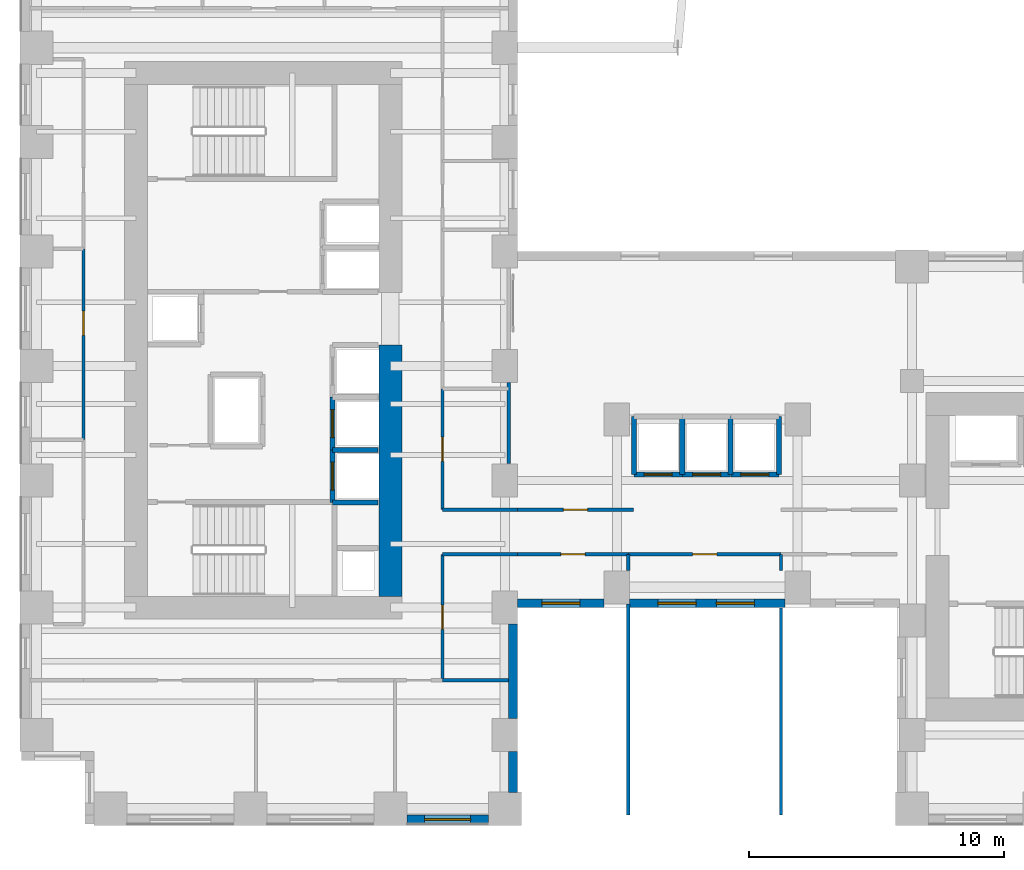
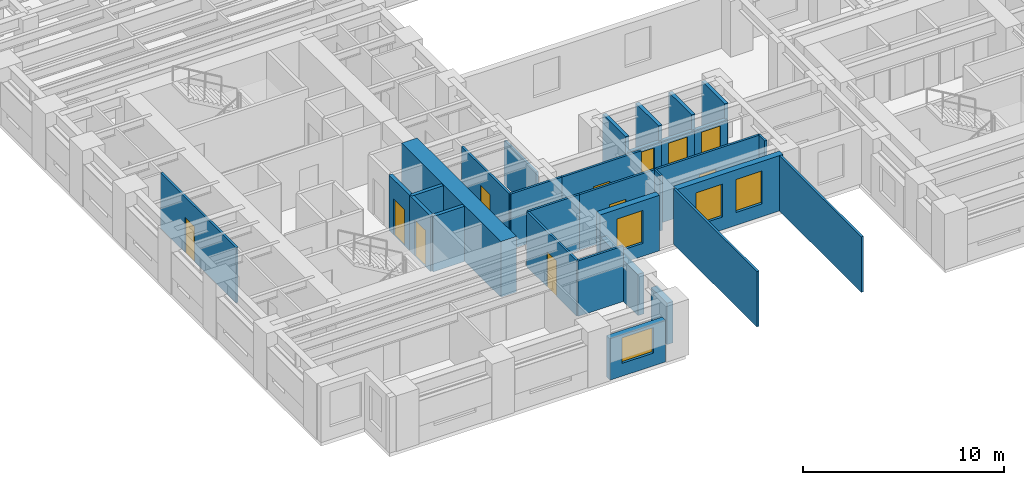
# One storey, part 7 of 14: 31 walls, 11 doors, 4 windows, 15 openings.
"""IFC4 building model written with IfcOpenShell, lengths in metres."""

from ifc_helpers import new_model, si_unit, direction, frame, frame_2d, origin, place, context, subcontext, project, spatial, rectangle, extrude, source, transform, mapped, material, layer, layer_set, type_object, element, fill, save


model = new_model("IFC4")

# Units and contexts
model_context = context("Model", 3, precision=1e-05, world=origin(), true_north=direction((0.0, 1.0)))
body_context = subcontext(model_context, "Body", "Model", "MODEL_VIEW")
ifc_project = project(units=[si_unit("LENGTHUNIT", "METRE"), si_unit("AREAUNIT", "SQUARE_METRE"), si_unit("VOLUMEUNIT", "CUBIC_METRE"), si_unit("PLANEANGLEUNIT", "RADIAN"), si_unit("MASSUNIT", "GRAM", prefix="KILO")], contexts=[model_context])

# Site, building, storey
site_placement = place(None, origin())
site = spatial("IfcSite", under=ifc_project, at=site_placement, CompositionType="ELEMENT")
building_placement = place(site_placement, origin())
building = spatial("IfcBuilding", under=site, at=building_placement, Name="Kharzan Plaza Tower", CompositionType="ELEMENT")
storey_placement = place(building_placement, frame((0.0, 0.0, 36.89990234375)))
storey = spatial("IfcBuildingStorey", under=building, at=storey_placement, Name="L09", CompositionType="ELEMENT", Elevation=36.89990234375)

# Wall, opening, window
ifc_material_1 = material(Name="Concrete C40/50", Category="concrete")
ifc_layer_1 = layer(ifc_material_1, 0.35009765625)
ifc_layer_set_1 = layer_set([ifc_layer_1], Name="Concrete C40/50")
wall_type_1 = type_object("IfcWallType", Name="WL-EXT-MAS-Z1", PredefinedType="SOLIDWALL", material=ifc_layer_set_1)
wall_1_placement = place(storey_placement, frame((15.14794921875, 0.175048828125, 0.0), z_axis=(0.0, 0.0, 1.0), x_axis=(1.0, 0.0, 0.0)))
wall_1 = element("IfcWall", 1, at=wall_1_placement, inside=storey, type_object=wall_type_1, Name="L09 Masonry-Frame Exterior Wall 25", PredefinedType="SOLIDWALL", context=body_context, shape_type="SweptSolid", body=[
    extrude(rectangle(XDim=3.2041015625, YDim=0.35009765625, at=frame_2d((1.60205078125, 0.0))), origin(), (0.0, 0.0, 1.0), 2.510009765625),
])
opening_1_placement = place(wall_1_placement, frame((0.701904296875, 0.0, 0.780029296875)))
opening_1 = element("IfcOpeningElement", 2, at=opening_1_placement, cuts=wall_1, Name="Opening W1", PredefinedType="OPENING", context=body_context, shape_type="SweptSolid", body=[
    extrude(rectangle(XDim=1.800048828125, YDim=1.550048828125, at=frame_2d((0.89990234375, 0.77490234375))), frame((0.0, 0.18505859375, 0.0), z_axis=(0.0, -1.0, 0.0), x_axis=(1.0, 0.0, 0.0)), (0.0, 0.0, 1.0), 0.3701171875),
])
ifc_material_2 = material(Name="Low-E Double Glazing", Category="glass")
window_type_1 = type_object("IfcWindowType", Name="WN-REC-1800x2100", PartitioningType="SINGLE_PANEL", PredefinedType="WINDOW", material=ifc_material_2)
shared_shape_1 = source(origin(), body_context, "Body", "SweptSolid", [
    extrude(rectangle(XDim=1.800048828125, YDim=1.550048828125, at=frame_2d((0.89990234375, 0.77490234375))), frame((0.0, 0.030029296875, 0.0), z_axis=(0.0, -1.0, 0.0), x_axis=(1.0, 0.0, 0.0)), (0.0, 0.0, 1.0), 0.06005859375),
])
window_1_placement = place(opening_1_placement, origin())
window_1 = element("IfcWindow", 3, at=window_1_placement, inside=storey, type_object=window_type_1, Name="L09 Recessed Solar-Control Window 25-1", OverallHeight=1.550048828125, OverallWidth=1.800048828125, PartitioningType="SINGLE_PANEL", PredefinedType="WINDOW", context=body_context, shape_type="MappedRepresentation", body=[
    mapped(shared_shape_1, transform((0.0, 0.0, 0.0), x_axis=(1.0, 0.0, 0.0), y_axis=(0.0, 1.0, 0.0), z_axis=(0.0, 0.0, 1.0))),
])
fill(opening_1, window_1)

wall_2_placement = place(storey_placement, frame((19.498046875, 8.675048828125, 0.0), z_axis=(0.0, 0.0, 1.0), x_axis=(1.0, 0.0, 0.0)))
wall_2 = element("IfcWall", 4, at=wall_2_placement, inside=storey, type_object=wall_type_1, Name="L09 Masonry-Frame Exterior Wall 28", PredefinedType="SOLIDWALL", context=body_context, shape_type="SweptSolid", body=[
    extrude(rectangle(XDim=3.404052734375, YDim=0.35009765625, at=frame_2d((1.7021484375, 0.0))), origin(), (0.0, 0.0, 1.0), 3.364990234375),
])
opening_2_placement = place(wall_2_placement, frame((0.951904296875, 0.0, 0.780029296875)))
opening_2 = element("IfcOpeningElement", 5, at=opening_2_placement, cuts=wall_2, Name="Opening W5", PredefinedType="OPENING", context=body_context, shape_type="SweptSolid", body=[
    extrude(rectangle(XDim=1.5, YDim=2.0, at=frame_2d((0.75, 1.0))), frame((0.0, 0.18505859375, 0.0), z_axis=(0.0, -1.0, 0.0), x_axis=(1.0, 0.0, 0.0)), (0.0, 0.0, 1.0), 0.3701171875),
])
window_type_2 = type_object("IfcWindowType", Name="WN-SLT-1500x2000", PartitioningType="SINGLE_PANEL", PredefinedType="WINDOW", material=ifc_material_2)
shared_shape_2 = source(origin(), body_context, "Body", "SweptSolid", [
    extrude(rectangle(XDim=1.5, YDim=2.0, at=frame_2d((0.75, 1.0))), frame((0.0, 0.030029296875, 0.0), z_axis=(0.0, -1.0, 0.0), x_axis=(1.0, 0.0, 0.0)), (0.0, 0.0, 1.0), 0.06005859375),
])
window_2_placement = place(opening_2_placement, origin())
window_2 = element("IfcWindow", 6, at=window_2_placement, inside=storey, type_object=window_type_2, Name="L09 Recessed Solar-Control Window 28-1", OverallHeight=2.0, OverallWidth=1.5, PartitioningType="SINGLE_PANEL", PredefinedType="WINDOW", context=body_context, shape_type="MappedRepresentation", body=[
    mapped(shared_shape_2, transform((0.0, 0.0, 0.0), x_axis=(1.0, 0.0, 0.0), y_axis=(0.0, 1.0, 0.0), z_axis=(0.0, 0.0, 1.0))),
])
fill(opening_2, window_2)

# Wall, openings, windows
wall_3_placement = place(storey_placement, frame((23.89794921875, 8.675048828125, 0.0), z_axis=(0.0, 0.0, 1.0), x_axis=(1.0, 0.0, 0.0)))
wall_3 = element("IfcWall", 7, at=wall_3_placement, inside=storey, type_object=wall_type_1, Name="L09 Masonry-Frame Exterior Wall 29", PredefinedType="SOLIDWALL", context=body_context, shape_type="SweptSolid", body=[
    extrude(rectangle(XDim=6.10400390625, YDim=0.35009765625, at=frame_2d((3.052001953125, 0.0))), origin(), (0.0, 0.0, 1.0), 3.364990234375),
])
opening_3_placement = place(wall_3_placement, frame((1.114013671875, 0.0, 0.780029296875)))
opening_3 = element("IfcOpeningElement", 8, at=opening_3_placement, cuts=wall_3, Name="Opening W5", PredefinedType="OPENING", context=body_context, shape_type="SweptSolid", body=[
    extrude(rectangle(XDim=1.5, YDim=2.0, at=frame_2d((0.75, 1.0))), frame((0.0, 0.18505859375, 0.0), z_axis=(0.0, -1.0, 0.0), x_axis=(1.0, 0.0, 0.0)), (0.0, 0.0, 1.0), 0.3701171875),
])
opening_4_placement = place(wall_3_placement, frame((3.407958984375, 0.0, 0.780029296875)))
opening_4 = element("IfcOpeningElement", 9, at=opening_4_placement, cuts=wall_3, Name="Opening W5", PredefinedType="OPENING", context=body_context, shape_type="SweptSolid", body=[
    extrude(rectangle(XDim=1.5, YDim=2.0, at=frame_2d((0.75, 1.0))), frame((0.0, 0.18505859375, 0.0), z_axis=(0.0, -1.0, 0.0), x_axis=(1.0, 0.0, 0.0)), (0.0, 0.0, 1.0), 0.3701171875),
])
window_3_placement = place(opening_3_placement, origin())
window_3 = element("IfcWindow", 10, at=window_3_placement, inside=storey, type_object=window_type_2, Name="L09 Recessed Solar-Control Window 29-1", OverallHeight=2.0, OverallWidth=1.5, PartitioningType="SINGLE_PANEL", PredefinedType="WINDOW", context=body_context, shape_type="MappedRepresentation", body=[
    mapped(shared_shape_2, transform((0.0, 0.0, 0.0), x_axis=(1.0, 0.0, 0.0), y_axis=(0.0, 1.0, 0.0), z_axis=(0.0, 0.0, 1.0))),
])
fill(opening_3, window_3)
window_4_placement = place(opening_4_placement, origin())
window_4 = element("IfcWindow", 11, at=window_4_placement, inside=storey, type_object=window_type_2, Name="L09 Recessed Solar-Control Window 29-2", OverallHeight=2.0, OverallWidth=1.5, PartitioningType="SINGLE_PANEL", PredefinedType="WINDOW", context=body_context, shape_type="MappedRepresentation", body=[
    mapped(shared_shape_2, transform((0.0, 0.0, 0.0), x_axis=(1.0, 0.0, 0.0), y_axis=(0.0, 1.0, 0.0), z_axis=(0.0, 0.0, 1.0))),
])
fill(opening_4, window_4)

# Wall, opening, door
ifc_material_3 = material(Name="Fire-Rated Gypsum Board Partition", Category="gypsum")
ifc_layer_2 = layer(ifc_material_3, 0.125)
ifc_layer_set_2 = layer_set([ifc_layer_2], Name="Fire-Rated Gypsum Board Partition")
wall_type_2 = type_object("IfcWallType", Name="WL-INT-PART-125", PredefinedType="PARTITIONING", material=ifc_layer_set_2)
wall_4_placement = place(storey_placement, frame((16.550048828125, 12.35009765625, 0.0), z_axis=(0.0, 0.0, 1.0), x_axis=(0.0, 1.0, 0.0)))
wall_4 = element("IfcWall", 12, at=wall_4_placement, inside=storey, type_object=wall_type_2, Name="L09 Interior Partition SH-AEWN1", PredefinedType="PARTITIONING", context=body_context, shape_type="SweptSolid", body=[
    extrude(rectangle(XDim=4.75, YDim=0.125, at=frame_2d((2.375, 0.0))), origin(), (0.0, 0.0, 1.0), 3.364990234375),
])
opening_5_placement = place(wall_4_placement, frame((1.89990234375, 0.0, 0.0)))
opening_5 = element("IfcOpeningElement", 13, at=opening_5_placement, cuts=wall_4, Name="Opening OD1", PredefinedType="OPENING", context=body_context, shape_type="SweptSolid", body=[
    extrude(rectangle(XDim=0.949951171875, YDim=2.14990234375, at=frame_2d((0.47509765625, 1.074951171875))), frame((0.0, 0.072509765625, 0.0), z_axis=(0.0, -1.0, 0.0), x_axis=(1.0, 0.0, 0.0)), (0.0, 0.0, 1.0), 0.14501953125),
])
ifc_material_4 = material(Name="Acoustic Solid-Core Stained Oak", Category="timber")
door_type_1 = type_object("IfcDoorType", Name="DR-OFF-SINGLE", OperationType="NOTDEFINED", PredefinedType="DOOR", material=ifc_material_4)
shared_shape_3 = source(origin(), body_context, "Body", "SweptSolid", [
    extrude(rectangle(XDim=0.949951171875, YDim=2.14990234375, at=frame_2d((0.47509765625, 1.074951171875))), frame((0.0, 0.02490234375, 0.0), z_axis=(0.0, -1.0, 0.0), x_axis=(1.0, 0.0, 0.0)), (0.0, 0.0, 1.0), 0.050048828125),
])
door_1_placement = place(opening_5_placement, origin())
door_1 = element("IfcDoor", 14, at=door_1_placement, inside=storey, type_object=door_type_1, Name="L09 Slot Collaboration Door", OperationType="SINGLE_SWING_LEFT", OverallHeight=2.14990234375, OverallWidth=0.949951171875, PredefinedType="DOOR", context=body_context, shape_type="MappedRepresentation", body=[
    mapped(shared_shape_3, transform((0.0, 0.0, 0.0), x_axis=(1.0, 0.0, 0.0), y_axis=(0.0, 1.0, 0.0), z_axis=(0.0, 0.0, 1.0))),
])
fill(opening_5, door_1)

wall_5_placement = place(storey_placement, frame((16.550048828125, 5.64990234375, 0.0), z_axis=(0.0, 0.0, 1.0), x_axis=(0.0, 1.0, 0.0)))
wall_5 = element("IfcWall", 15, at=wall_5_placement, inside=storey, type_object=wall_type_2, Name="L09 Interior Partition SH-AEWS", PredefinedType="PARTITIONING", context=body_context, shape_type="SweptSolid", body=[
    extrude(rectangle(XDim=4.9501953125, YDim=0.125, at=frame_2d((2.47509765625, 0.0))), origin(), (0.0, 0.0, 1.0), 3.364990234375),
])
opening_6_placement = place(wall_5_placement, frame((2.0, 0.0, 0.0)))
opening_6 = element("IfcOpeningElement", 16, at=opening_6_placement, cuts=wall_5, Name="Opening OD1", PredefinedType="OPENING", context=body_context, shape_type="SweptSolid", body=[
    extrude(rectangle(XDim=0.949951171875, YDim=2.14990234375, at=frame_2d((0.47509765625, 1.074951171875))), frame((0.0, 0.072509765625, 0.0), z_axis=(0.0, -1.0, 0.0), x_axis=(1.0, 0.0, 0.0)), (0.0, 0.0, 1.0), 0.14501953125),
])
door_2_placement = place(opening_6_placement, origin())
door_2 = element("IfcDoor", 17, at=door_2_placement, inside=storey, type_object=door_type_1, Name="L09 Slot South Office Door", OperationType="SINGLE_SWING_RIGHT", OverallHeight=2.14990234375, OverallWidth=0.949951171875, PredefinedType="DOOR", context=body_context, shape_type="MappedRepresentation", body=[
    mapped(shared_shape_3, transform((0.0, 0.0, 0.0), x_axis=(1.0, 0.0, 0.0), y_axis=(0.0, 1.0, 0.0), z_axis=(0.0, 0.0, 1.0))),
])
fill(opening_6, door_2)

wall_6_placement = place(storey_placement, frame((19.5, 12.35009765625, 0.0), z_axis=(0.0, 0.0, 1.0), x_axis=(1.0, 0.0, 0.0)))
wall_6 = element("IfcWall", 18, at=wall_6_placement, inside=storey, type_object=wall_type_2, Name="L09 Interior Partition SH-SPNW1", PredefinedType="PARTITIONING", context=body_context, shape_type="SweptSolid", body=[
    extrude(rectangle(XDim=4.550048828125, YDim=0.125, at=frame_2d((2.27490234375, 0.0))), origin(), (0.0, 0.0, 1.0), 3.364990234375),
])
opening_7_placement = place(wall_6_placement, frame((1.800048828125, 0.0, 0.0)))
opening_7 = element("IfcOpeningElement", 19, at=opening_7_placement, cuts=wall_6, Name="Opening OD1", PredefinedType="OPENING", context=body_context, shape_type="SweptSolid", body=[
    extrude(rectangle(XDim=0.949951171875, YDim=2.14990234375, at=frame_2d((0.47509765625, 1.074951171875))), frame((0.0, 0.072509765625, 0.0), z_axis=(0.0, -1.0, 0.0), x_axis=(1.0, 0.0, 0.0)), (0.0, 0.0, 1.0), 0.14501953125),
])
door_3_placement = place(opening_7_placement, origin())
door_3 = element("IfcDoor", 20, at=door_3_placement, inside=storey, type_object=door_type_1, Name="L09 North-West Spine Door", OperationType="SINGLE_SWING_RIGHT", OverallHeight=2.14990234375, OverallWidth=0.949951171875, PredefinedType="DOOR", context=body_context, shape_type="MappedRepresentation", body=[
    mapped(shared_shape_3, transform((0.0, 0.0, 0.0), x_axis=(1.0, 0.0, 0.0), y_axis=(0.0, 1.0, 0.0), z_axis=(0.0, 0.0, 1.0))),
])
fill(opening_7, door_3)

wall_7_placement = place(storey_placement, frame((19.5, 10.60009765625, 0.0), z_axis=(0.0, 0.0, 1.0), x_axis=(1.0, 0.0, 0.0)))
wall_7 = element("IfcWall", 21, at=wall_7_placement, inside=storey, type_object=wall_type_2, Name="L09 Interior Partition SH-SPS1", PredefinedType="PARTITIONING", context=body_context, shape_type="SweptSolid", body=[
    extrude(rectangle(XDim=4.35009765625, YDim=0.125, at=frame_2d((2.175048828125, 0.0))), origin(), (0.0, 0.0, 1.0), 3.364990234375),
])
opening_8_placement = place(wall_7_placement, frame((1.699951171875, 0.0, 0.0)))
opening_8 = element("IfcOpeningElement", 22, at=opening_8_placement, cuts=wall_7, Name="Opening OD1", PredefinedType="OPENING", context=body_context, shape_type="SweptSolid", body=[
    extrude(rectangle(XDim=0.949951171875, YDim=2.14990234375, at=frame_2d((0.47509765625, 1.074951171875))), frame((0.0, 0.072509765625, 0.0), z_axis=(0.0, -1.0, 0.0), x_axis=(1.0, 0.0, 0.0)), (0.0, 0.0, 1.0), 0.14501953125),
])
door_4_placement = place(opening_8_placement, origin())
door_4 = element("IfcDoor", 23, at=door_4_placement, inside=storey, type_object=door_type_1, Name="L09 Spine Studio 1 Door", OperationType="SINGLE_SWING_LEFT", OverallHeight=2.14990234375, OverallWidth=0.949951171875, PredefinedType="DOOR", context=body_context, shape_type="MappedRepresentation", body=[
    mapped(shared_shape_3, transform((0.0, 0.0, 0.0), x_axis=(1.0, 0.0, 0.0), y_axis=(0.0, 1.0, 0.0), z_axis=(0.0, 0.0, 1.0))),
])
fill(opening_8, door_4)

wall_8_placement = place(storey_placement, frame((23.85009765625, 10.60009765625, 0.0), z_axis=(0.0, 0.0, 1.0), x_axis=(1.0, 0.0, 0.0)))
wall_8 = element("IfcWall", 24, at=wall_8_placement, inside=storey, type_object=wall_type_2, Name="L09 Interior Partition SH-SPS2", PredefinedType="PARTITIONING", context=body_context, shape_type="SweptSolid", body=[
    extrude(rectangle(XDim=6.0, YDim=0.125, at=frame_2d((3.0, 0.0))), origin(), (0.0, 0.0, 1.0), 3.364990234375),
])
opening_9_placement = place(wall_8_placement, frame((2.52490234375, 0.0, 0.0)))
opening_9 = element("IfcOpeningElement", 25, at=opening_9_placement, cuts=wall_8, Name="Opening OD1", PredefinedType="OPENING", context=body_context, shape_type="SweptSolid", body=[
    extrude(rectangle(XDim=0.949951171875, YDim=2.14990234375, at=frame_2d((0.47509765625, 1.074951171875))), frame((0.0, 0.072509765625, 0.0), z_axis=(0.0, -1.0, 0.0), x_axis=(1.0, 0.0, 0.0)), (0.0, 0.0, 1.0), 0.14501953125),
])
door_5_placement = place(opening_9_placement, origin())
door_5 = element("IfcDoor", 26, at=door_5_placement, inside=storey, type_object=door_type_1, Name="L09 Spine Studio 2 Door", OperationType="SINGLE_SWING_RIGHT", OverallHeight=2.14990234375, OverallWidth=0.949951171875, PredefinedType="DOOR", context=body_context, shape_type="MappedRepresentation", body=[
    mapped(shared_shape_3, transform((0.0, 0.0, 0.0), x_axis=(1.0, 0.0, 0.0), y_axis=(0.0, 1.0, 0.0), z_axis=(0.0, 0.0, 1.0))),
])
fill(opening_9, door_5)

wall_9_placement = place(storey_placement, frame((2.449951171875, 15.10009765625, 0.0), z_axis=(0.0, 0.0, 1.0), x_axis=(0.0, 1.0, 0.0)))
wall_9 = element("IfcWall", 27, at=wall_9_placement, inside=storey, type_object=wall_type_2, Name="L09 Interior Partition SH-WW-2", PredefinedType="PARTITIONING", context=body_context, shape_type="SweptSolid", body=[
    extrude(rectangle(XDim=7.5, YDim=0.125, at=frame_2d((3.75, 0.0))), origin(), (0.0, 0.0, 1.0), 3.364990234375),
])
opening_10_placement = place(wall_9_placement, frame((4.100341796875, 0.0, 0.0)))
opening_10 = element("IfcOpeningElement", 28, at=opening_10_placement, cuts=wall_9, Name="Opening OD1", PredefinedType="OPENING", context=body_context, shape_type="SweptSolid", body=[
    extrude(rectangle(XDim=0.949951171875, YDim=2.14990234375, at=frame_2d((0.47509765625, 1.074951171875))), frame((0.0, 0.072509765625, 0.0), z_axis=(0.0, -1.0, 0.0), x_axis=(1.0, 0.0, 0.0)), (0.0, 0.0, 1.0), 0.14501953125),
])
door_6_placement = place(opening_10_placement, origin())
door_6 = element("IfcDoor", 29, at=door_6_placement, inside=storey, type_object=door_type_1, Name="L09 Research Engineering Office Door", OperationType="SINGLE_SWING_RIGHT", OverallHeight=2.14990234375, OverallWidth=0.949951171875, PredefinedType="DOOR", context=body_context, shape_type="MappedRepresentation", body=[
    mapped(shared_shape_3, transform((0.0, 0.0, 0.0), x_axis=(1.0, 0.0, 0.0), y_axis=(0.0, 1.0, 0.0), z_axis=(0.0, 0.0, 1.0))),
])
fill(opening_10, door_6)

ifc_layer_3 = layer(ifc_material_1, 0.199951171875)
ifc_layer_set_3 = layer_set([ifc_layer_3], Name="Concrete C40/50")
wall_type_3 = type_object("IfcWallType", Name="WL-INT-SHAFT-200", PredefinedType="PARTITIONING", material=ifc_layer_set_3)
wall_10_placement = place(storey_placement, frame((12.22998046875, 12.6298828125, 0.0), z_axis=(0.0, 0.0, 1.0), x_axis=(0.0, 1.0, 0.0)))
wall_10 = element("IfcWall", 30, at=wall_10_placement, inside=storey, type_object=wall_type_3, Name="L09 Interior Partition SHF-PL-H1-W", PredefinedType="PARTITIONING", context=body_context, shape_type="SweptSolid", body=[
    extrude(rectangle(XDim=2.070068359375, YDim=0.199951171875, at=frame_2d((1.03515625, 0.0))), origin(), (0.0, 0.0, 1.0), 3.364990234375),
])
opening_11_placement = place(wall_10_placement, frame((0.485107421875, 0.0, 0.0)))
opening_11 = element("IfcOpeningElement", 31, at=opening_11_placement, cuts=wall_10, Name="Opening LD", PredefinedType="OPENING", context=body_context, shape_type="SweptSolid", body=[
    extrude(rectangle(XDim=1.10009765625, YDim=2.199951171875, at=frame_2d((0.550048828125, 1.10009765625))), frame((0.0, 0.10986328125, 0.0), z_axis=(0.0, -1.0, 0.0), x_axis=(1.0, 0.0, 0.0)), (0.0, 0.0, 1.0), 0.219970703125),
])
ifc_material_5 = material(Name="Brushed Stainless Steel", Category="steel")
door_type_2 = type_object("IfcDoorType", Name="DR-LIFT-SLIDE", OperationType="SLIDING_TO_LEFT", PredefinedType="DOOR", material=ifc_material_5)
shared_shape_4 = source(origin(), body_context, "Body", "SweptSolid", [
    extrude(rectangle(XDim=1.10009765625, YDim=2.199951171875, at=frame_2d((0.550048828125, 1.10009765625))), frame((0.0, 0.02490234375, 0.0), z_axis=(0.0, -1.0, 0.0), x_axis=(1.0, 0.0, 0.0)), (0.0, 0.0, 1.0), 0.050048828125),
])
door_7_placement = place(opening_11_placement, origin())
door_7 = element("IfcDoor", 32, at=door_7_placement, inside=storey, type_object=door_type_2, Name="L09 High-Rise Passenger Lift PL-H1 Sliding Landing Door", OperationType="SLIDING_TO_LEFT", OverallHeight=2.199951171875, OverallWidth=1.10009765625, PredefinedType="DOOR", context=body_context, shape_type="MappedRepresentation", body=[
    mapped(shared_shape_4, transform((0.0, 0.0, 0.0), x_axis=(1.0, 0.0, 0.0), y_axis=(0.0, 1.0, 0.0), z_axis=(0.0, 0.0, 1.0))),
])
fill(opening_11, door_7)

wall_11_placement = place(storey_placement, frame((12.22998046875, 14.699951171875, 0.0), z_axis=(0.0, 0.0, 1.0), x_axis=(0.0, 1.0, 0.0)))
wall_11 = element("IfcWall", 33, at=wall_11_placement, inside=storey, type_object=wall_type_3, Name="L09 Interior Partition SHF-PL-H2-W", PredefinedType="PARTITIONING", context=body_context, shape_type="SweptSolid", body=[
    extrude(rectangle(XDim=2.070068359375, YDim=0.199951171875, at=frame_2d((1.03515625, 0.0))), origin(), (0.0, 0.0, 1.0), 3.364990234375),
])
opening_12_placement = place(wall_11_placement, frame((0.485107421875, 0.0, 0.0)))
opening_12 = element("IfcOpeningElement", 34, at=opening_12_placement, cuts=wall_11, Name="Opening LD", PredefinedType="OPENING", context=body_context, shape_type="SweptSolid", body=[
    extrude(rectangle(XDim=1.10009765625, YDim=2.199951171875, at=frame_2d((0.550048828125, 1.10009765625))), frame((0.0, 0.10986328125, 0.0), z_axis=(0.0, -1.0, 0.0), x_axis=(1.0, 0.0, 0.0)), (0.0, 0.0, 1.0), 0.219970703125),
])
door_8_placement = place(opening_12_placement, origin())
door_8 = element("IfcDoor", 35, at=door_8_placement, inside=storey, type_object=door_type_2, Name="L09 High-Rise Passenger Lift PL-H2 Sliding Landing Door", OperationType="SLIDING_TO_LEFT", OverallHeight=2.199951171875, OverallWidth=1.10009765625, PredefinedType="DOOR", context=body_context, shape_type="MappedRepresentation", body=[
    mapped(shared_shape_4, transform((0.0, 0.0, 0.0), x_axis=(1.0, 0.0, 0.0), y_axis=(0.0, 1.0, 0.0), z_axis=(0.0, 0.0, 1.0))),
])
fill(opening_12, door_8)

wall_12_placement = place(storey_placement, frame((24.080078125, 13.72998046875, 0.0), z_axis=(0.0, 0.0, 1.0), x_axis=(1.0, 0.0, 0.0)))
wall_12 = element("IfcWall", 36, at=wall_12_placement, inside=storey, type_object=wall_type_3, Name="L09 Interior Partition SHF-PL-M1-S", PredefinedType="PARTITIONING", context=body_context, shape_type="SweptSolid", body=[
    extrude(rectangle(XDim=1.889892578125, YDim=0.199951171875, at=frame_2d((0.94482421875, 0.0))), origin(), (0.0, 0.0, 1.0), 2.446044921875),
])
opening_13_placement = place(wall_12_placement, frame((0.39501953125, 0.0, 0.0)))
opening_13 = element("IfcOpeningElement", 37, at=opening_13_placement, cuts=wall_12, Name="Opening LD", PredefinedType="OPENING", context=body_context, shape_type="SweptSolid", body=[
    extrude(rectangle(XDim=1.10009765625, YDim=2.199951171875, at=frame_2d((0.550048828125, 1.10009765625))), frame((0.0, 0.10986328125, 0.0), z_axis=(0.0, -1.0, 0.0), x_axis=(1.0, 0.0, 0.0)), (0.0, 0.0, 1.0), 0.219970703125),
])
door_9_placement = place(opening_13_placement, origin())
door_9 = element("IfcDoor", 38, at=door_9_placement, inside=storey, type_object=door_type_2, Name="L09 Mid-Rise Passenger Lift PL-M1 Sliding Landing Door", OperationType="SLIDING_TO_LEFT", OverallHeight=2.199951171875, OverallWidth=1.10009765625, PredefinedType="DOOR", context=body_context, shape_type="MappedRepresentation", body=[
    mapped(shared_shape_4, transform((0.0, 0.0, 0.0), x_axis=(1.0, 0.0, 0.0), y_axis=(0.0, 1.0, 0.0), z_axis=(0.0, 0.0, 1.0))),
])
fill(opening_13, door_9)

wall_13_placement = place(storey_placement, frame((25.97998046875, 13.72998046875, 0.0), z_axis=(0.0, 0.0, 1.0), x_axis=(1.0, 0.0, 0.0)))
wall_13 = element("IfcWall", 39, at=wall_13_placement, inside=storey, type_object=wall_type_3, Name="L09 Interior Partition SHF-PL-M2-S", PredefinedType="PARTITIONING", context=body_context, shape_type="SweptSolid", body=[
    extrude(rectangle(XDim=1.89013671875, YDim=0.199951171875, at=frame_2d((0.945068359375, 0.0))), origin(), (0.0, 0.0, 1.0), 2.446044921875),
])
opening_14_placement = place(wall_13_placement, frame((0.39501953125, 0.0, 0.0)))
opening_14 = element("IfcOpeningElement", 40, at=opening_14_placement, cuts=wall_13, Name="Opening LD", PredefinedType="OPENING", context=body_context, shape_type="SweptSolid", body=[
    extrude(rectangle(XDim=1.10009765625, YDim=2.199951171875, at=frame_2d((0.550048828125, 1.10009765625))), frame((0.0, 0.10986328125, 0.0), z_axis=(0.0, -1.0, 0.0), x_axis=(1.0, 0.0, 0.0)), (0.0, 0.0, 1.0), 0.219970703125),
])
door_10_placement = place(opening_14_placement, origin())
door_10 = element("IfcDoor", 41, at=door_10_placement, inside=storey, type_object=door_type_2, Name="L09 Mid-Rise Passenger Lift PL-M2 Sliding Landing Door", OperationType="SLIDING_TO_LEFT", OverallHeight=2.199951171875, OverallWidth=1.10009765625, PredefinedType="DOOR", context=body_context, shape_type="MappedRepresentation", body=[
    mapped(shared_shape_4, transform((0.0, 0.0, 0.0), x_axis=(1.0, 0.0, 0.0), y_axis=(0.0, 1.0, 0.0), z_axis=(0.0, 0.0, 1.0))),
])
fill(opening_14, door_10)

wall_14_placement = place(storey_placement, frame((27.8798828125, 13.72998046875, 0.0), z_axis=(0.0, 0.0, 1.0), x_axis=(1.0, 0.0, 0.0)))
wall_14 = element("IfcWall", 42, at=wall_14_placement, inside=storey, type_object=wall_type_3, Name="L09 Interior Partition SHF-PL-M3-S", PredefinedType="PARTITIONING", context=body_context, shape_type="SweptSolid", body=[
    extrude(rectangle(XDim=1.89013671875, YDim=0.199951171875, at=frame_2d((0.945068359375, 0.0))), origin(), (0.0, 0.0, 1.0), 2.446044921875),
])
opening_15_placement = place(wall_14_placement, frame((0.39501953125, 0.0, 0.0)))
opening_15 = element("IfcOpeningElement", 43, at=opening_15_placement, cuts=wall_14, Name="Opening LD", PredefinedType="OPENING", context=body_context, shape_type="SweptSolid", body=[
    extrude(rectangle(XDim=1.10009765625, YDim=2.199951171875, at=frame_2d((0.550048828125, 1.10009765625))), frame((0.0, 0.10986328125, 0.0), z_axis=(0.0, -1.0, 0.0), x_axis=(1.0, 0.0, 0.0)), (0.0, 0.0, 1.0), 0.219970703125),
])
door_11_placement = place(opening_15_placement, origin())
door_11 = element("IfcDoor", 44, at=door_11_placement, inside=storey, type_object=door_type_2, Name="L09 Mid-Rise Passenger Lift PL-M3 Sliding Landing Door", OperationType="SLIDING_TO_LEFT", OverallHeight=2.199951171875, OverallWidth=1.10009765625, PredefinedType="DOOR", context=body_context, shape_type="MappedRepresentation", body=[
    mapped(shared_shape_4, transform((0.0, 0.0, 0.0), x_axis=(1.0, 0.0, 0.0), y_axis=(0.0, 1.0, 0.0), z_axis=(0.0, 0.0, 1.0))),
])
fill(opening_15, door_11)

# Walls
shared_shape_5 = source(origin(), body_context, "Body", "SweptSolid", [
    extrude(rectangle(XDim=1.60400390625, YDim=0.35009765625, at=frame_2d((0.802001953125, 0.0))), origin(), (0.0, 0.0, 1.0), 2.510009765625),
])
wall_15_placement = place(storey_placement, frame((19.324951171875, 1.248046875, 0.0), z_axis=(0.0, 0.0, 1.0), x_axis=(0.0, 1.0, 0.0)))
element("IfcWall", 45, at=wall_15_placement, inside=storey, type_object=wall_type_1, Name="L09 Masonry-Frame Exterior Wall 26", PredefinedType="SOLIDWALL", context=body_context, shape_type="MappedRepresentation", body=[
    mapped(shared_shape_5, transform((0.0, 0.0, 0.0), x_axis=(1.0, 0.0, 0.0), y_axis=(0.0, 1.0, 0.0), z_axis=(0.0, 0.0, 1.0))),
])
shared_shape_6 = source(origin(), body_context, "Body", "SweptSolid", [
    extrude(rectangle(XDim=3.7041015625, YDim=0.35009765625, at=frame_2d((1.85205078125, 0.0))), origin(), (0.0, 0.0, 1.0), 2.510009765625),
])
wall_16_placement = place(storey_placement, frame((19.324951171875, 4.14794921875, 0.0), z_axis=(0.0, 0.0, 1.0), x_axis=(0.0, 1.0, 0.0)))
element("IfcWall", 46, at=wall_16_placement, inside=storey, type_object=wall_type_1, Name="L09 Masonry-Frame Exterior Wall 27", PredefinedType="SOLIDWALL", context=body_context, shape_type="MappedRepresentation", body=[
    mapped(shared_shape_6, transform((0.0, 0.0, 0.0), x_axis=(1.0, 0.0, 0.0), y_axis=(0.0, 1.0, 0.0), z_axis=(0.0, 0.0, 1.0))),
])
shared_shape_7 = source(origin(), body_context, "Body", "SweptSolid", [
    extrude(rectangle(XDim=2.597900390625, YDim=0.125, at=frame_2d((1.298828125, 0.0))), origin(), (0.0, 0.0, 1.0), 3.364990234375),
])
wall_17_placement = place(storey_placement, frame((16.550048828125, 5.64990234375, 0.0), z_axis=(0.0, 0.0, 1.0), x_axis=(1.0, 0.0, 0.0)))
element("IfcWall", 47, at=wall_17_placement, inside=storey, type_object=wall_type_2, Name="L09 Interior Partition SH-SSE-3", PredefinedType="PARTITIONING", context=body_context, shape_type="MappedRepresentation", body=[
    mapped(shared_shape_7, transform((0.0, 0.0, 0.0), x_axis=(1.0, 0.0, 0.0), y_axis=(0.0, 1.0, 0.0), z_axis=(0.0, 0.0, 1.0))),
])
shared_shape_8 = source(origin(), body_context, "Body", "SweptSolid", [
    extrude(rectangle(XDim=2.949951171875, YDim=0.125, at=frame_2d((1.47509765625, 0.0))), origin(), (0.0, 0.0, 1.0), 3.364990234375),
])
for number, where, z_axis, x_axis, name in (
    (48, (16.550048828125, 12.35009765625, 0.0), (0.0, 0.0, 1.0), (1.0, 0.0, 0.0), "L09 Interior Partition SH-SPNW0"),
    (49, (16.550048828125, 10.60009765625, 0.0), (0.0, 0.0, 1.0), (1.0, 0.0, 0.0), "L09 Interior Partition SH-SPS0"),
):
    element("IfcWall", number, at=place(storey_placement, frame(where, z_axis=z_axis, x_axis=x_axis)), inside=storey, type_object=wall_type_2, Name=name, PredefinedType="PARTITIONING", context=body_context, shape_type="MappedRepresentation", body=[
        mapped(shared_shape_8, transform((0.0, 0.0, 0.0), x_axis=(1.0, 0.0, 0.0), y_axis=(0.0, 1.0, 0.0), z_axis=(0.0, 0.0, 1.0))),
    ])
shared_shape_9 = source(origin(), body_context, "Body", "SweptSolid", [
    extrude(rectangle(XDim=1.7900390625, YDim=0.199951171875, at=frame_2d((0.89501953125, 0.0))), origin(), (0.0, 0.0, 1.0), 3.364990234375),
])
for number, where, z_axis, x_axis, name in (
    (50, (12.22998046875, 14.699951171875, 0.0), (0.0, 0.0, 1.0), (1.0, 0.0, 0.0), "L09 Interior Partition SHF-PL-H1-N"),
    (51, (12.22998046875, 12.6298828125, 0.0), (0.0, 0.0, 1.0), (1.0, 0.0, 0.0), "L09 Interior Partition SHF-PL-H1-S"),
):
    element("IfcWall", number, at=place(storey_placement, frame(where, z_axis=z_axis, x_axis=x_axis)), inside=storey, type_object=wall_type_3, Name=name, PredefinedType="PARTITIONING", context=body_context, shape_type="MappedRepresentation", body=[
        mapped(shared_shape_9, transform((0.0, 0.0, 0.0), x_axis=(1.0, 0.0, 0.0), y_axis=(0.0, 1.0, 0.0), z_axis=(0.0, 0.0, 1.0))),
    ])
shared_shape_10 = source(origin(), body_context, "Body", "SweptSolid", [
    extrude(rectangle(XDim=2.2900390625, YDim=0.199951171875, at=frame_2d((1.14501953125, 0.0))), origin(), (0.0, 0.0, 1.0), 3.364990234375),
])
for number, where, z_axis, x_axis, name in (
    (52, (25.969970703125, 13.72998046875, 0.0), (0.0, 0.0, 1.0), (0.0, 1.0, 0.0), "L09 Interior Partition SHF-PL-M1-E"),
    (53, (24.080078125, 13.72998046875, 0.0), (0.0, 0.0, 1.0), (0.0, 1.0, 0.0), "L09 Interior Partition SHF-PL-M1-W"),
    (54, (27.8701171875, 13.72998046875, 0.0), (0.0, 0.0, 1.0), (0.0, 1.0, 0.0), "L09 Interior Partition SHF-PL-M2-E"),
    (55, (29.77001953125, 13.72998046875, 0.0), (0.0, 0.0, 1.0), (0.0, 1.0, 0.0), "L09 Interior Partition SHF-PL-M3-E"),
):
    element("IfcWall", number, at=place(storey_placement, frame(where, z_axis=z_axis, x_axis=x_axis)), inside=storey, type_object=wall_type_3, Name=name, PredefinedType="PARTITIONING", context=body_context, shape_type="MappedRepresentation", body=[
        mapped(shared_shape_10, transform((0.0, 0.0, 0.0), x_axis=(1.0, 0.0, 0.0), y_axis=(0.0, 1.0, 0.0), z_axis=(0.0, 0.0, 1.0))),
    ])
shared_shape_11 = source(origin(), body_context, "Body", "SweptSolid", [
    extrude(rectangle(XDim=8.14794921875, YDim=0.125, at=frame_2d((4.073974609375, 0.0))), origin(), (0.0, 0.0, 1.0), 3.364990234375),
])
wall_18_placement = place(storey_placement, frame((29.85009765625, 0.35009765625, 0.0), z_axis=(0.0, 0.0, 1.0), x_axis=(0.0, 1.0, 0.0)))
element("IfcWall", 56, at=wall_18_placement, inside=storey, type_object=wall_type_2, Name="L09 Interior Partition SH-SPSV2-S1", PredefinedType="PARTITIONING", context=body_context, shape_type="MappedRepresentation", body=[
    mapped(shared_shape_11, transform((0.0, 0.0, 0.0), x_axis=(1.0, 0.0, 0.0), y_axis=(0.0, 1.0, 0.0), z_axis=(0.0, 0.0, 1.0))),
])
ifc_material_6 = material(Name="Concrete C60/75", Category="concrete")
ifc_layer_4 = layer(ifc_material_6, 0.89990234375)
ifc_layer_set_4 = layer_set([ifc_layer_4], Name="Concrete C60/75")
wall_type_4 = type_object("IfcWallType", Name="WL-CORE-900", PredefinedType="SHEAR", material=ifc_layer_set_4)
shared_shape_12 = source(origin(), body_context, "Body", "SweptSolid", [
    extrude(rectangle(XDim=9.8701171875, YDim=0.89990234375, at=frame_2d((4.93505859375, 0.0))), origin(), (0.0, 0.0, 1.0), 3.380126953125),
])
wall_19_placement = place(storey_placement, frame((14.5, 8.949951171875, 0.0), z_axis=(0.0, 0.0, 1.0), x_axis=(0.0, 1.0, 0.0)))
element("IfcWall", 57, at=wall_19_placement, inside=storey, type_object=wall_type_4, Name="L09 CORE-A east shear pier 1", PredefinedType="SHEAR", context=body_context, shape_type="MappedRepresentation", body=[
    mapped(shared_shape_12, transform((0.0, 0.0, 0.0), x_axis=(1.0, 0.0, 0.0), y_axis=(0.0, 1.0, 0.0), z_axis=(0.0, 0.0, 1.0))),
])
shared_shape_13 = source(origin(), body_context, "Body", "SweptSolid", [
    extrude(rectangle(XDim=3.18017578125, YDim=0.125, at=frame_2d((1.590087890625, 0.0))), origin(), (0.0, 0.0, 1.0), 2.670166015625),
])
wall_20_placement = place(storey_placement, frame((19.14990234375, 14.159912109375, 0.0), z_axis=(0.0, 0.0, 1.0), x_axis=(0.0, 1.0, 0.0)))
element("IfcWall", 58, at=wall_20_placement, inside=storey, type_object=wall_type_2, Name="L09 Interior Partition SH-AEN-DIV-S1", PredefinedType="PARTITIONING", context=body_context, shape_type="MappedRepresentation", body=[
    mapped(shared_shape_13, transform((0.0, 0.0, 0.0), x_axis=(1.0, 0.0, 0.0), y_axis=(0.0, 1.0, 0.0), z_axis=(0.0, 0.0, 1.0))),
])
shared_shape_14 = source(origin(), body_context, "Body", "SweptSolid", [
    extrude(rectangle(XDim=8.289794921875, YDim=0.125, at=frame_2d((4.14501953125, 0.0))), origin(), (0.0, 0.0, 1.0), 3.364990234375),
])
wall_21_placement = place(storey_placement, frame((23.85009765625, 0.35009765625, 0.0), z_axis=(0.0, 0.0, 1.0), x_axis=(0.0, 1.0, 0.0)))
element("IfcWall", 59, at=wall_21_placement, inside=storey, type_object=wall_type_2, Name="L09 Interior Partition SH-SPSV1-S1", PredefinedType="PARTITIONING", context=body_context, shape_type="MappedRepresentation", body=[
    mapped(shared_shape_14, transform((0.0, 0.0, 0.0), x_axis=(1.0, 0.0, 0.0), y_axis=(0.0, 1.0, 0.0), z_axis=(0.0, 0.0, 1.0))),
])
shared_shape_15 = source(origin(), body_context, "Body", "SweptSolid", [
    extrude(rectangle(XDim=0.64013671875, YDim=0.125, at=frame_2d((0.320068359375, 0.0))), origin(), (0.0, 0.0, 1.0), 3.364990234375),
])
for number, where, z_axis, x_axis, name in (
    (60, (23.85009765625, 9.9599609375, 0.0), (0.0, 0.0, 1.0), (0.0, 1.0, 0.0), "L09 Interior Partition SH-SPSV1-S2"),
    (61, (29.85009765625, 9.9599609375, 0.0), (0.0, 0.0, 1.0), (0.0, 1.0, 0.0), "L09 Interior Partition SH-SPSV2-S2"),
):
    element("IfcWall", number, at=place(storey_placement, frame(where, z_axis=z_axis, x_axis=x_axis)), inside=storey, type_object=wall_type_2, Name=name, PredefinedType="PARTITIONING", context=body_context, shape_type="MappedRepresentation", body=[
        mapped(shared_shape_15, transform((0.0, 0.0, 0.0), x_axis=(1.0, 0.0, 0.0), y_axis=(0.0, 1.0, 0.0), z_axis=(0.0, 0.0, 1.0))),
    ])

save(model, "model.ifc")
